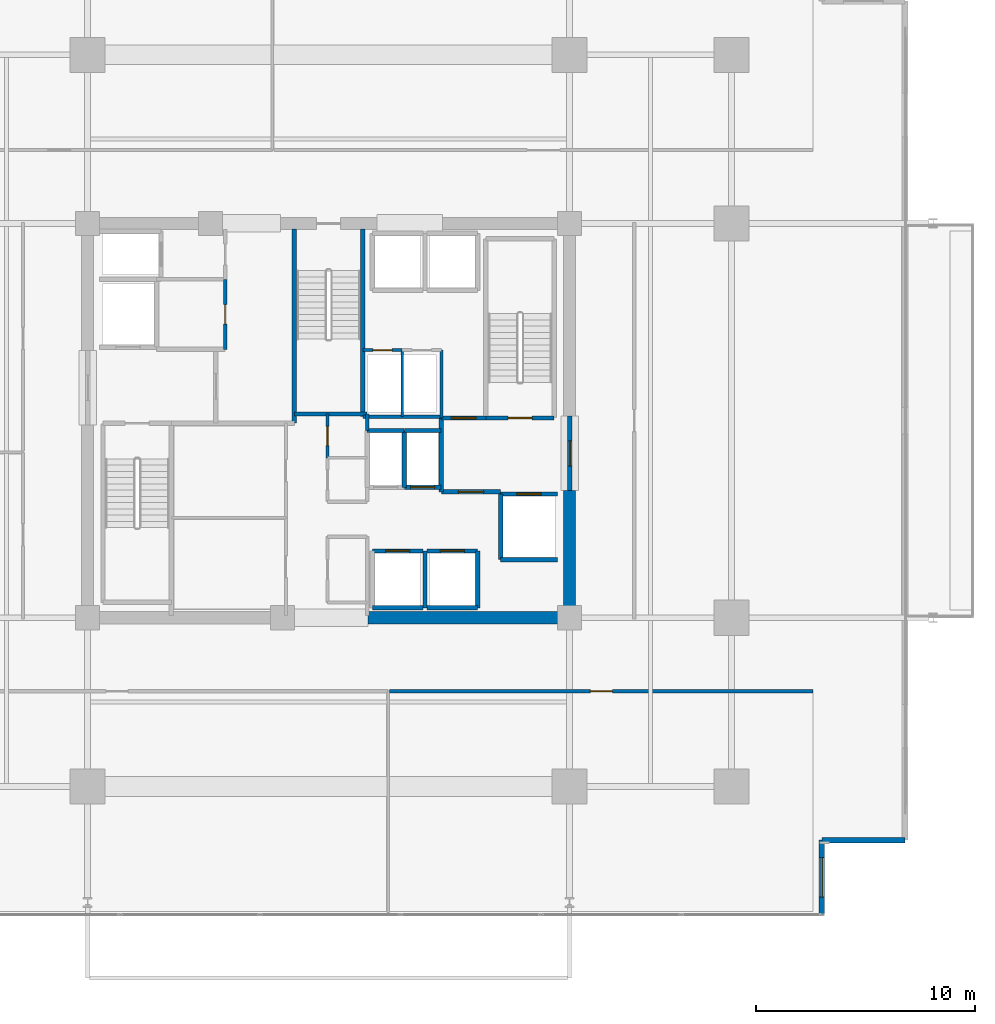
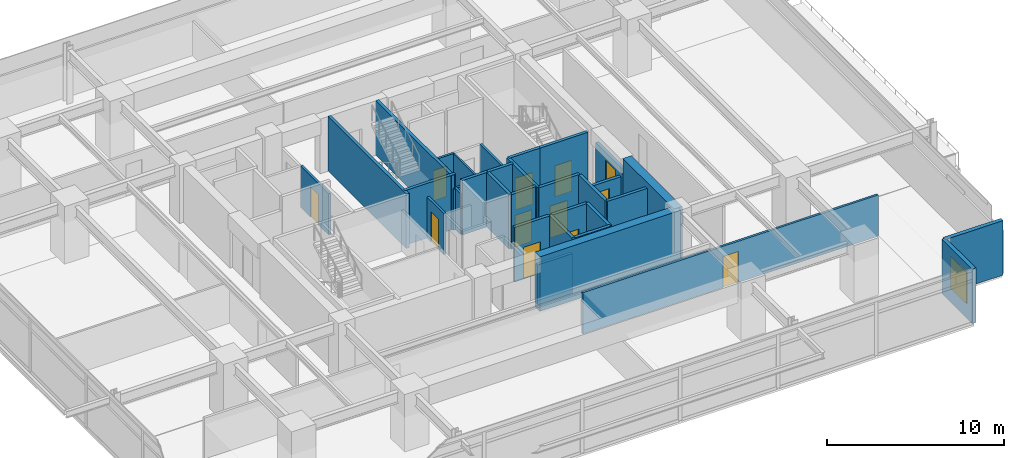
# One storey, part 17 of 24: 33 walls, 12 doors, 1 window, 13 openings.
"""IFC4 building model written with IfcOpenShell, lengths in metres."""

from ifc_helpers import new_model, si_unit, direction, frame, frame_2d, origin, place, context, subcontext, project, spatial, rectangle, extrude, material, layer, layer_set, type_object, element, fill, save


model = new_model("IFC4")

# Units and contexts
model_context = context("Model", 3, precision=1e-05, world=origin(), true_north=direction((0.0, 1.0)))
body_context = subcontext(model_context, "Body", "Model", "MODEL_VIEW")
ifc_project = project(units=[si_unit("LENGTHUNIT", "METRE"), si_unit("AREAUNIT", "SQUARE_METRE"), si_unit("VOLUMEUNIT", "CUBIC_METRE"), si_unit("PLANEANGLEUNIT", "RADIAN"), si_unit("MASSUNIT", "GRAM", prefix="KILO")], contexts=[model_context])

# Site, building, storey
site_placement = place(None, origin())
site = spatial("IfcSite", under=ifc_project, at=site_placement, CompositionType="ELEMENT")
building_placement = place(site_placement, origin())
building = spatial("IfcBuilding", under=site, at=building_placement, Name="Kovane Verandah Tower", CompositionType="ELEMENT")
storey_placement = place(building_placement, frame((0.0, 0.0, 132.39990234375)))
storey = spatial("IfcBuildingStorey", under=building, at=storey_placement, Name="L30", CompositionType="ELEMENT", Elevation=132.39990234375)

# Wall
ifc_material_1 = material(Name="Fire-Rated Gypsum Stud Partition", Category="gypsum")
ifc_layer_1 = layer(ifc_material_1, 0.14990234375)
ifc_layer_set_1 = layer_set([ifc_layer_1], Name="Fire-Rated Gypsum Stud Partition")
wall_type_1 = type_object("IfcWallType", Name="WL-COR-150", PredefinedType="PARTITIONING", material=ifc_layer_set_1)
wall_1_placement = place(storey_placement, frame((41.760009765625, 27.050048828125, 0.0), z_axis=(0.0, 0.0, 1.0), x_axis=(0.0, 1.0, 0.0)))
element("IfcWall", 1, at=wall_1_placement, inside=storey, type_object=wall_type_1, Name="L30 Central Core Strip Upper East Wall", PredefinedType="PARTITIONING", context=body_context, shape_type="SweptSolid", body=[
    extrude(rectangle(XDim=0.75, YDim=0.14990234375, at=frame_2d((0.375, 0.0))), origin(), (0.0, 0.0, 1.0), 2.85009765625),
])

# Wall, opening, door
wall_2_placement = place(storey_placement, frame((39.949951171875, 25.800048828125, 0.0), z_axis=(0.0, 0.0, 1.0), x_axis=(0.0, 1.0, 0.0)))
wall_2 = element("IfcWall", 2, at=wall_2_placement, inside=storey, type_object=wall_type_1, Name="L30 Electrical Riser Room Partition", PredefinedType="PARTITIONING", context=body_context, shape_type="SweptSolid", body=[
    extrude(rectangle(XDim=2.0, YDim=0.14990234375, at=frame_2d((1.0, 0.0))), origin(), (0.0, 0.0, 1.0), 2.85009765625),
])
opening_1_placement = place(wall_2_placement, frame((0.56005859375, 0.0, 0.0)))
opening_1 = element("IfcOpeningElement", 3, at=opening_1_placement, cuts=wall_2, Name="Opening DR-L30-021", PredefinedType="OPENING", context=body_context, shape_type="SweptSolid", body=[
    extrude(rectangle(XDim=0.8798828125, YDim=2.10009765625, at=frame_2d((0.43994140625, 1.050048828125))), frame((0.0, 0.074951171875, 0.0), z_axis=(0.0, -1.0, 0.0), x_axis=(1.0, 0.0, 0.0)), (0.0, 0.0, 1.0), 0.14990234375),
])
ifc_material_2 = material(Name="Fire-Rated Steel Riser Access Door", Category="steel")
door_type_1 = type_object("IfcDoorType", Name="DR-RISER-880", OperationType="SINGLE_SWING_LEFT", PredefinedType="DOOR", material=ifc_material_2)
door_1_placement = place(opening_1_placement, origin())
door_1 = element("IfcDoor", 4, at=door_1_placement, inside=storey, type_object=door_type_1, Name="L30 Electrical Riser Room Door", OperationType="SINGLE_SWING_RIGHT", OverallHeight=2.10009765625, OverallWidth=0.8798828125, PredefinedType="DOOR", context=body_context, shape_type="SweptSolid", body=[
    extrude(rectangle(XDim=0.8798828125, YDim=2.10009765625, at=frame_2d((0.43994140625, 1.050048828125))), frame((0.0, 0.02490234375, 0.0), z_axis=(0.0, -1.0, 0.0), x_axis=(1.0, 0.0, 0.0)), (0.0, 0.0, 1.0), 0.050048828125),
])
fill(opening_1, door_1)

wall_3_placement = place(storey_placement, frame((35.280029296875, 30.75, 0.0), z_axis=(0.0, 0.0, 1.0), x_axis=(0.0, 1.0, 0.0)))
wall_3 = element("IfcWall", 5, at=wall_3_placement, inside=storey, type_object=wall_type_1, Name="L30 Accessible Unisex Toilet Partition", PredefinedType="PARTITIONING", context=body_context, shape_type="SweptSolid", body=[
    extrude(rectangle(XDim=3.199951171875, YDim=0.14990234375, at=frame_2d((1.60009765625, 0.0))), origin(), (0.0, 0.0, 1.0), 2.85009765625),
])
opening_2_placement = place(wall_3_placement, frame((1.14990234375, 0.0, 0.0)))
opening_2 = element("IfcOpeningElement", 6, at=opening_2_placement, cuts=wall_3, Name="Opening DR-L30-022", PredefinedType="OPENING", context=body_context, shape_type="SweptSolid", body=[
    extrude(rectangle(XDim=0.89990234375, YDim=2.10009765625, at=frame_2d((0.449951171875, 1.050048828125))), frame((0.0, 0.074951171875, 0.0), z_axis=(0.0, -1.0, 0.0), x_axis=(1.0, 0.0, 0.0)), (0.0, 0.0, 1.0), 0.14990234375),
])
ifc_material_3 = material(Name="Moisture-Resistant Laminate Washroom Door", Category="wood")
door_type_2 = type_object("IfcDoorType", Name="DR-WC-900", OperationType="SINGLE_SWING_LEFT", PredefinedType="DOOR", material=ifc_material_3)
door_2_placement = place(opening_2_placement, origin())
door_2 = element("IfcDoor", 7, at=door_2_placement, inside=storey, type_object=door_type_2, Name="L30 Accessible Unisex Toilet Door", OperationType="SINGLE_SWING_RIGHT", OverallHeight=2.10009765625, OverallWidth=0.89990234375, PredefinedType="DOOR", context=body_context, shape_type="SweptSolid", body=[
    extrude(rectangle(XDim=0.89990234375, YDim=2.10009765625, at=frame_2d((0.449951171875, 1.050048828125))), frame((0.0, 0.02490234375, 0.0), z_axis=(0.0, -1.0, 0.0), x_axis=(1.0, 0.0, 0.0)), (0.0, 0.0, 1.0), 0.050048828125),
])
fill(opening_2, door_2)

# Walls
wall_4_placement = place(storey_placement, frame((41.56005859375, 27.679931640625, 0.0), z_axis=(0.0, 0.0, 1.0), x_axis=(1.0, 0.0, 0.0)))
element("IfcWall", 8, at=wall_4_placement, inside=storey, type_object=wall_type_1, Name="L30 East Core Service Riser South Wall", PredefinedType="PARTITIONING", context=body_context, shape_type="SweptSolid", body=[
    extrude(rectangle(XDim=3.58984375, YDim=0.14990234375, at=frame_2d((1.794921875, 0.0))), origin(), (0.0, 0.0, 1.0), 2.85009765625),
])
wall_5_placement = place(storey_placement, frame((45.14990234375, 27.6201171875, 0.0), z_axis=(0.0, 0.0, 1.0), x_axis=(0.0, 1.0, 0.0)))
element("IfcWall", 9, at=wall_5_placement, inside=storey, type_object=wall_type_1, Name="L30 East Core Service Riser East Wall", PredefinedType="PARTITIONING", context=body_context, shape_type="SweptSolid", body=[
    extrude(rectangle(XDim=3.099853515625, YDim=0.14990234375, at=frame_2d((1.5498046875, 0.0))), origin(), (0.0, 0.0, 1.0), 2.85009765625),
])

# Wall, opening, door
wall_6_placement = place(storey_placement, frame((41.56005859375, 30.719970703125, 0.0), z_axis=(0.0, 0.0, 1.0), x_axis=(1.0, 0.0, 0.0)))
wall_6 = element("IfcWall", 10, at=wall_6_placement, inside=storey, type_object=wall_type_1, Name="L30 Chilled Water Riser Room Partition", PredefinedType="PARTITIONING", context=body_context, shape_type="SweptSolid", body=[
    extrude(rectangle(XDim=1.800048828125, YDim=0.14990234375, at=frame_2d((0.89990234375, 0.0))), origin(), (0.0, 0.0, 1.0), 2.85009765625),
])
opening_3_placement = place(wall_6_placement, frame((0.4599609375, 0.0, 0.0)))
opening_3 = element("IfcOpeningElement", 11, at=opening_3_placement, cuts=wall_6, Name="Opening DR-L30-015", PredefinedType="OPENING", context=body_context, shape_type="SweptSolid", body=[
    extrude(rectangle(XDim=0.8798828125, YDim=2.10009765625, at=frame_2d((0.43994140625, 1.050048828125))), frame((0.0, 0.074951171875, 0.0), z_axis=(0.0, -1.0, 0.0), x_axis=(1.0, 0.0, 0.0)), (0.0, 0.0, 1.0), 0.14990234375),
])
door_3_placement = place(opening_3_placement, origin())
door_3 = element("IfcDoor", 12, at=door_3_placement, inside=storey, type_object=door_type_1, Name="L30 Chilled Water Riser Room Door", OperationType="SINGLE_SWING_LEFT", OverallHeight=2.10009765625, OverallWidth=0.8798828125, PredefinedType="DOOR", context=body_context, shape_type="SweptSolid", body=[
    extrude(rectangle(XDim=0.8798828125, YDim=2.10009765625, at=frame_2d((0.43994140625, 1.050048828125))), frame((0.0, 0.02490234375, 0.0), z_axis=(0.0, -1.0, 0.0), x_axis=(1.0, 0.0, 0.0)), (0.0, 0.0, 1.0), 0.050048828125),
])
fill(opening_3, door_3)

wall_7_placement = place(storey_placement, frame((42.790283203125, 15.14990234375, 0.0), z_axis=(0.0, 0.0, 1.0), x_axis=(1.0, 0.0, 0.0)))
wall_7 = element("IfcWall", 13, at=wall_7_placement, inside=storey, type_object=wall_type_1, Name="L30 Focus Studio S2 Corridor Partition", PredefinedType="PARTITIONING", context=body_context, shape_type="SweptSolid", body=[
    extrude(rectangle(XDim=19.32373046875, YDim=0.14990234375, at=frame_2d((9.661865234375, 0.0))), origin(), (0.0, 0.0, 1.0), 2.85009765625),
])
opening_4_placement = place(wall_7_placement, frame((9.161865234375, 0.0, 0.0)))
opening_4 = element("IfcOpeningElement", 14, at=opening_4_placement, cuts=wall_7, Name="Opening DR-L30-020", PredefinedType="OPENING", context=body_context, shape_type="SweptSolid", body=[
    extrude(rectangle(XDim=1.0, YDim=2.14990234375, at=frame_2d((0.5, 1.074951171875))), frame((0.0, 0.074951171875, 0.0), z_axis=(0.0, -1.0, 0.0), x_axis=(1.0, 0.0, 0.0)), (0.0, 0.0, 1.0), 0.14990234375),
])
ifc_material_4 = material(Name="FSC Spotted-Gum Timber Fire-Rated Office Door", Category="wood")
door_type_3 = type_object("IfcDoorType", Name="DR-OFF-1000", OperationType="SINGLE_SWING_LEFT", PredefinedType="DOOR", material=ifc_material_4)
door_4_placement = place(opening_4_placement, origin())
door_4 = element("IfcDoor", 15, at=door_4_placement, inside=storey, type_object=door_type_3, Name="L30 Focus Studio S2 Entrance Door", OperationType="SINGLE_SWING_RIGHT", OverallHeight=2.14990234375, OverallWidth=1.0, PredefinedType="DOOR", context=body_context, shape_type="SweptSolid", body=[
    extrude(rectangle(XDim=1.0, YDim=2.14990234375, at=frame_2d((0.5, 1.074951171875))), frame((0.0, 0.02490234375, 0.0), z_axis=(0.0, -1.0, 0.0), x_axis=(1.0, 0.0, 0.0)), (0.0, 0.0, 1.0), 0.050048828125),
])
fill(opening_4, door_4)

# Walls
ifc_material_5 = material(Name="Concrete C60/75", Category="concrete")
ifc_layer_2 = layer(ifc_material_5, 0.550048828125)
ifc_layer_set_2 = layer_set([ifc_layer_2], Name="Concrete C60/75")
wall_type_2 = type_object("IfcWallType", Name="WL-CORE-550", PredefinedType="SHEAR", material=ifc_layer_set_2)
wall_8_placement = place(storey_placement, frame((41.800048828125, 18.5, 0.0), z_axis=(0.0, 0.0, 1.0), x_axis=(1.0, 0.0, 0.0)))
element("IfcWall", 16, at=wall_8_placement, inside=storey, type_object=wall_type_2, Name="L30 Core Shear Wall CS-2", PredefinedType="SHEAR", context=body_context, shape_type="SweptSolid", body=[
    extrude(rectangle(XDim=9.199951171875, YDim=0.550048828125, at=frame_2d((4.60009765625, 0.0))), origin(), (0.0, 0.0, 1.0), 3.775146484375),
])
wall_9_placement = place(storey_placement, frame((51.0, 18.5, 0.0), z_axis=(0.0, 0.0, 1.0), x_axis=(0.0, 1.0, 0.0)))
element("IfcWall", 17, at=wall_9_placement, inside=storey, type_object=wall_type_2, Name="L30 Core Shear Wall CE-1", PredefinedType="SHEAR", context=body_context, shape_type="SweptSolid", body=[
    extrude(rectangle(XDim=5.800048828125, YDim=0.550048828125, at=frame_2d((2.89990234375, 0.0))), origin(), (0.0, 0.0, 1.0), 3.775146484375),
])
ifc_material_6 = material(Name="Concrete C45/55 Fire Wall", Category="concrete")
ifc_layer_3 = layer(ifc_material_6, 0.199951171875)
ifc_layer_set_3 = layer_set([ifc_layer_3], Name="Concrete C45/55 Fire Wall")
wall_type_3 = type_object("IfcWallType", Name="WL-FFL-200", PredefinedType="PARTITIONING", material=ifc_layer_set_3)
wall_10_placement = place(storey_placement, frame((45.14990234375, 24.25, 0.0), z_axis=(0.0, 0.0, 1.0), x_axis=(0.0, 1.0, 0.0)))
element("IfcWall", 18, at=wall_10_placement, inside=storey, type_object=wall_type_3, Name="L30 East Firefighting Lobby West Fire Wall", PredefinedType="PARTITIONING", context=body_context, shape_type="SweptSolid", body=[
    extrude(rectangle(XDim=3.3701171875, YDim=0.199951171875, at=frame_2d((1.68505859375, 0.0))), origin(), (0.0, 0.0, 1.0), 3.775146484375),
])

# Wall, opening, door
wall_11_placement = place(storey_placement, frame((45.14990234375, 24.25, 0.0), z_axis=(0.0, 0.0, 1.0), x_axis=(1.0, 0.0, 0.0)))
wall_11 = element("IfcWall", 19, at=wall_11_placement, inside=storey, type_object=wall_type_3, Name="W-L30-FFLE-S", PredefinedType="PARTITIONING", context=body_context, shape_type="SweptSolid", body=[
    extrude(rectangle(XDim=2.7001953125, YDim=0.199951171875, at=frame_2d((1.35009765625, 0.0))), origin(), (0.0, 0.0, 1.0), 3.775146484375),
])
opening_5_placement = place(wall_11_placement, frame((0.77490234375, 0.0, 0.0)))
opening_5 = element("IfcOpeningElement", 20, at=opening_5_placement, cuts=wall_11, Name="Opening DR-L30-003", PredefinedType="OPENING", context=body_context, shape_type="SweptSolid", body=[
    extrude(rectangle(XDim=1.14990234375, YDim=2.199951171875, at=frame_2d((0.574951171875, 1.10009765625))), frame((0.0, 0.10009765625, 0.0), z_axis=(0.0, -1.0, 0.0), x_axis=(1.0, 0.0, 0.0)), (0.0, 0.0, 1.0), 0.199951171875),
])
ifc_material_7 = material(Name="Smoke-Sealed Firefighting Lobby Door", Category="steel")
door_type_4 = type_object("IfcDoorType", Name="DR-FFL-1150", OperationType="SINGLE_SWING_LEFT", PredefinedType="DOOR", material=ifc_material_7)
door_5_placement = place(opening_5_placement, origin())
door_5 = element("IfcDoor", 21, at=door_5_placement, inside=storey, type_object=door_type_4, Name="L30 East Firefighting Lobby Inner Door", OperationType="SINGLE_SWING_RIGHT", OverallHeight=2.199951171875, OverallWidth=1.14990234375, PredefinedType="DOOR", context=body_context, shape_type="SweptSolid", body=[
    extrude(rectangle(XDim=1.14990234375, YDim=2.199951171875, at=frame_2d((0.574951171875, 1.10009765625))), frame((0.0, 0.02490234375, 0.0), z_axis=(0.0, -1.0, 0.0), x_axis=(1.0, 0.0, 0.0)), (0.0, 0.0, 1.0), 0.050048828125),
])
fill(opening_5, door_5)

wall_12_placement = place(storey_placement, frame((45.14990234375, 27.6201171875, 0.0), z_axis=(0.0, 0.0, 1.0), x_axis=(1.0, 0.0, 0.0)))
wall_12 = element("IfcWall", 22, at=wall_12_placement, inside=storey, type_object=wall_type_3, Name="W-L30-FFLE-N", PredefinedType="PARTITIONING", context=body_context, shape_type="SweptSolid", body=[
    extrude(rectangle(XDim=2.030029296875, YDim=0.199951171875, at=frame_2d((1.01513671875, 0.0))), origin(), (0.0, 0.0, 1.0), 3.775146484375),
])
opening_6_placement = place(wall_12_placement, frame((0.43994140625, 0.0, 0.0)))
opening_6 = element("IfcOpeningElement", 23, at=opening_6_placement, cuts=wall_12, Name="Opening DR-L30-004", PredefinedType="OPENING", context=body_context, shape_type="SweptSolid", body=[
    extrude(rectangle(XDim=1.14990234375, YDim=2.199951171875, at=frame_2d((0.574951171875, 1.10009765625))), frame((0.0, 0.10009765625, 0.0), z_axis=(0.0, -1.0, 0.0), x_axis=(1.0, 0.0, 0.0)), (0.0, 0.0, 1.0), 0.199951171875),
])
door_6_placement = place(opening_6_placement, origin())
door_6 = element("IfcDoor", 24, at=door_6_placement, inside=storey, type_object=door_type_4, Name="L30 East Firefighting Lobby Shuttle Link Door", OperationType="SINGLE_SWING_LEFT", OverallHeight=2.199951171875, OverallWidth=1.14990234375, PredefinedType="DOOR", context=body_context, shape_type="SweptSolid", body=[
    extrude(rectangle(XDim=1.14990234375, YDim=2.199951171875, at=frame_2d((0.574951171875, 1.10009765625))), frame((0.0, 0.02490234375, 0.0), z_axis=(0.0, -1.0, 0.0), x_axis=(1.0, 0.0, 0.0)), (0.0, 0.0, 1.0), 0.050048828125),
])
fill(opening_6, door_6)

wall_13_placement = place(storey_placement, frame((51.0, 24.300048828125, 0.0), z_axis=(0.0, 0.0, 1.0), x_axis=(0.0, 1.0, 0.0)))
wall_13 = element("IfcWall", 25, at=wall_13_placement, inside=storey, type_object=wall_type_3, Name="W-L30-FFLE-OUT", PredefinedType="PARTITIONING", context=body_context, shape_type="SweptSolid", body=[
    extrude(rectangle(XDim=3.39990234375, YDim=0.199951171875, at=frame_2d((1.699951171875, 0.0))), origin(), (0.0, 0.0, 1.0), 2.755126953125),
])
opening_7_placement = place(wall_13_placement, frame((1.125, 0.0, 0.0)))
opening_7 = element("IfcOpeningElement", 26, at=opening_7_placement, cuts=wall_13, Name="Opening DR-L30-005", PredefinedType="OPENING", context=body_context, shape_type="SweptSolid", body=[
    extrude(rectangle(XDim=1.14990234375, YDim=2.199951171875, at=frame_2d((0.574951171875, 1.10009765625))), frame((0.0, 0.10009765625, 0.0), z_axis=(0.0, -1.0, 0.0), x_axis=(1.0, 0.0, 0.0)), (0.0, 0.0, 1.0), 0.199951171875),
])
door_7_placement = place(opening_7_placement, origin())
door_7 = element("IfcDoor", 27, at=door_7_placement, inside=storey, type_object=door_type_4, Name="L30 East Firefighting Lobby Corridor Door", OperationType="SINGLE_SWING_LEFT", OverallHeight=2.199951171875, OverallWidth=1.14990234375, PredefinedType="DOOR", context=body_context, shape_type="SweptSolid", body=[
    extrude(rectangle(XDim=1.14990234375, YDim=2.199951171875, at=frame_2d((0.574951171875, 1.10009765625))), frame((0.0, 0.02490234375, 0.0), z_axis=(0.0, -1.0, 0.0), x_axis=(1.0, 0.0, 0.0)), (0.0, 0.0, 1.0), 0.050048828125),
])
fill(opening_7, door_7)

# Wall
ifc_material_8 = material(Name="Concrete C45/55 Lift Shaft Wall", Category="concrete")
ifc_layer_4 = layer(ifc_material_8, 0.199951171875)
ifc_layer_set_4 = layer_set([ifc_layer_4], Name="Concrete C45/55 Lift Shaft Wall")
wall_type_4 = type_object("IfcWallType", Name="WL-LIFT-200", PredefinedType="SOLIDWALL", material=ifc_layer_set_4)
wall_14_placement = place(storey_placement, frame((47.85009765625, 21.14990234375, 0.0), z_axis=(0.0, 0.0, 1.0), x_axis=(1.0, 0.0, 0.0)))
element("IfcWall", 28, at=wall_14_placement, inside=storey, type_object=wall_type_4, Name="L30 Lift FL-02 S Shaft Wall", PredefinedType="SOLIDWALL", context=body_context, shape_type="SweptSolid", body=[
    extrude(rectangle(XDim=2.599853515625, YDim=0.199951171875, at=frame_2d((1.2998046875, 0.0))), origin(), (0.0, 0.0, 1.0), 3.775146484375),
])

# Wall, opening, door
wall_15_placement = place(storey_placement, frame((50.449951171875, 24.14990234375, 0.0), z_axis=(0.0, 0.0, 1.0), x_axis=(-1.0, 0.0, 0.0)))
wall_15 = element("IfcWall", 29, at=wall_15_placement, inside=storey, type_object=wall_type_4, Name="L30 Lift FL-02 N Shaft Wall", PredefinedType="SOLIDWALL", context=body_context, shape_type="SweptSolid", body=[
    extrude(rectangle(XDim=2.599853515625, YDim=0.199951171875, at=frame_2d((1.2998046875, 0.0))), origin(), (0.0, 0.0, 1.0), 2.755126953125),
])
opening_8_placement = place(wall_15_placement, frame((0.75, 0.0, 0.0)))
opening_8 = element("IfcOpeningElement", 30, at=opening_8_placement, cuts=wall_15, Name="Opening LD-L30-002", PredefinedType="OPENING", context=body_context, shape_type="SweptSolid", body=[
    extrude(rectangle(XDim=1.10009765625, YDim=2.199951171875, at=frame_2d((0.550048828125, 1.10009765625))), frame((0.0, 0.10009765625, 0.0), z_axis=(0.0, -1.0, 0.0), x_axis=(1.0, 0.0, 0.0)), (0.0, 0.0, 1.0), 0.199951171875),
])
ifc_material_9 = material(Name="Brushed Stainless Steel Sliding Lift Landing Door", Category="steel")
door_type_5 = type_object("IfcDoorType", Name="DR-LIFT-1100", OperationType="SLIDING_TO_RIGHT", PredefinedType="DOOR", material=ifc_material_9)
door_8_placement = place(opening_8_placement, origin())
door_8 = element("IfcDoor", 31, at=door_8_placement, inside=storey, type_object=door_type_5, Name="L30 Lift FL-02 Sliding Landing Door", OperationType="SLIDING_TO_RIGHT", OverallHeight=2.199951171875, OverallWidth=1.10009765625, PredefinedType="DOOR", context=body_context, shape_type="SweptSolid", body=[
    extrude(rectangle(XDim=1.10009765625, YDim=2.199951171875, at=frame_2d((0.550048828125, 1.10009765625))), frame((0.0, 0.02490234375, 0.0), z_axis=(0.0, -1.0, 0.0), x_axis=(1.0, 0.0, 0.0)), (0.0, 0.0, 1.0), 0.050048828125),
])
fill(opening_8, door_8)

# Walls
wall_16_placement = place(storey_placement, frame((47.85009765625, 24.14990234375, 0.0), z_axis=(0.0, 0.0, 1.0), x_axis=(0.0, -1.0, 0.0)))
element("IfcWall", 32, at=wall_16_placement, inside=storey, type_object=wall_type_4, Name="L30 Lift FL-02 W Shaft Wall", PredefinedType="SOLIDWALL", context=body_context, shape_type="SweptSolid", body=[
    extrude(rectangle(XDim=3.0, YDim=0.199951171875, at=frame_2d((1.5, 0.0))), origin(), (0.0, 0.0, 1.0), 3.775146484375),
])
wall_17_placement = place(storey_placement, frame((42.0, 18.949951171875, 0.0), z_axis=(0.0, 0.0, 1.0), x_axis=(1.0, 0.0, 0.0)))
element("IfcWall", 33, at=wall_17_placement, inside=storey, type_object=wall_type_4, Name="L30 Lift PL-M1 S Shaft Wall", PredefinedType="SOLIDWALL", context=body_context, shape_type="SweptSolid", body=[
    extrude(rectangle(XDim=2.300048828125, YDim=0.199951171875, at=frame_2d((1.14990234375, 0.0))), origin(), (0.0, 0.0, 1.0), 2.755126953125),
])

# Wall, opening, door
wall_18_placement = place(storey_placement, frame((44.300048828125, 21.550048828125, 0.0), z_axis=(0.0, 0.0, 1.0), x_axis=(-1.0, 0.0, 0.0)))
wall_18 = element("IfcWall", 34, at=wall_18_placement, inside=storey, type_object=wall_type_4, Name="L30 Lift PL-M1 N Shaft Wall", PredefinedType="SOLIDWALL", context=body_context, shape_type="SweptSolid", body=[
    extrude(rectangle(XDim=2.300048828125, YDim=0.199951171875, at=frame_2d((1.14990234375, 0.0))), origin(), (0.0, 0.0, 1.0), 3.775146484375),
])
opening_9_placement = place(wall_18_placement, frame((0.60009765625, 0.0, 0.0)))
opening_9 = element("IfcOpeningElement", 35, at=opening_9_placement, cuts=wall_18, Name="Opening LD-L30-004", PredefinedType="OPENING", context=body_context, shape_type="SweptSolid", body=[
    extrude(rectangle(XDim=1.10009765625, YDim=2.199951171875, at=frame_2d((0.550048828125, 1.10009765625))), frame((0.0, 0.10009765625, 0.0), z_axis=(0.0, -1.0, 0.0), x_axis=(1.0, 0.0, 0.0)), (0.0, 0.0, 1.0), 0.199951171875),
])
door_9_placement = place(opening_9_placement, origin())
door_9 = element("IfcDoor", 36, at=door_9_placement, inside=storey, type_object=door_type_5, Name="L30 Lift PL-M1 Sliding Landing Door", OperationType="SLIDING_TO_RIGHT", OverallHeight=2.199951171875, OverallWidth=1.10009765625, PredefinedType="DOOR", context=body_context, shape_type="SweptSolid", body=[
    extrude(rectangle(XDim=1.10009765625, YDim=2.199951171875, at=frame_2d((0.550048828125, 1.10009765625))), frame((0.0, 0.02490234375, 0.0), z_axis=(0.0, -1.0, 0.0), x_axis=(1.0, 0.0, 0.0)), (0.0, 0.0, 1.0), 0.050048828125),
])
fill(opening_9, door_9)

# Walls
wall_19_placement = place(storey_placement, frame((44.39990234375, 18.949951171875, 0.0), z_axis=(0.0, 0.0, 1.0), x_axis=(0.0, 1.0, 0.0)))
element("IfcWall", 37, at=wall_19_placement, inside=storey, type_object=wall_type_4, Name="L30 Lift PL-M1 and PL-M2 Shared Shaft Wall", PredefinedType="SOLIDWALL", context=body_context, shape_type="SweptSolid", body=[
    extrude(rectangle(XDim=2.60009765625, YDim=0.199951171875, at=frame_2d((1.300048828125, 0.0))), origin(), (0.0, 0.0, 1.0), 3.775146484375),
])
wall_20_placement = place(storey_placement, frame((44.5, 18.949951171875, 0.0), z_axis=(0.0, 0.0, 1.0), x_axis=(1.0, 0.0, 0.0)))
element("IfcWall", 38, at=wall_20_placement, inside=storey, type_object=wall_type_4, Name="L30 Lift PL-M2 S Shaft Wall", PredefinedType="SOLIDWALL", context=body_context, shape_type="SweptSolid", body=[
    extrude(rectangle(XDim=2.300048828125, YDim=0.199951171875, at=frame_2d((1.14990234375, 0.0))), origin(), (0.0, 0.0, 1.0), 3.775146484375),
])

# Wall, opening, door
wall_21_placement = place(storey_placement, frame((46.800048828125, 21.550048828125, 0.0), z_axis=(0.0, 0.0, 1.0), x_axis=(-1.0, 0.0, 0.0)))
wall_21 = element("IfcWall", 39, at=wall_21_placement, inside=storey, type_object=wall_type_4, Name="L30 Lift PL-M2 N Shaft Wall", PredefinedType="SOLIDWALL", context=body_context, shape_type="SweptSolid", body=[
    extrude(rectangle(XDim=2.300048828125, YDim=0.199951171875, at=frame_2d((1.14990234375, 0.0))), origin(), (0.0, 0.0, 1.0), 3.775146484375),
])
opening_10_placement = place(wall_21_placement, frame((0.60009765625, 0.0, 0.0)))
opening_10 = element("IfcOpeningElement", 40, at=opening_10_placement, cuts=wall_21, Name="Opening LD-L30-005", PredefinedType="OPENING", context=body_context, shape_type="SweptSolid", body=[
    extrude(rectangle(XDim=1.10009765625, YDim=2.199951171875, at=frame_2d((0.550048828125, 1.10009765625))), frame((0.0, 0.10009765625, 0.0), z_axis=(0.0, -1.0, 0.0), x_axis=(1.0, 0.0, 0.0)), (0.0, 0.0, 1.0), 0.199951171875),
])
door_10_placement = place(opening_10_placement, origin())
door_10 = element("IfcDoor", 41, at=door_10_placement, inside=storey, type_object=door_type_5, Name="L30 Lift PL-M2 Sliding Landing Door", OperationType="SLIDING_TO_RIGHT", OverallHeight=2.199951171875, OverallWidth=1.10009765625, PredefinedType="DOOR", context=body_context, shape_type="SweptSolid", body=[
    extrude(rectangle(XDim=1.10009765625, YDim=2.199951171875, at=frame_2d((0.550048828125, 1.10009765625))), frame((0.0, 0.02490234375, 0.0), z_axis=(0.0, -1.0, 0.0), x_axis=(1.0, 0.0, 0.0)), (0.0, 0.0, 1.0), 0.050048828125),
])
fill(opening_10, door_10)

# Walls
wall_22_placement = place(storey_placement, frame((46.800048828125, 18.949951171875, 0.0), z_axis=(0.0, 0.0, 1.0), x_axis=(0.0, 1.0, 0.0)))
element("IfcWall", 42, at=wall_22_placement, inside=storey, type_object=wall_type_4, Name="L30 Lift PL-M2 E Shaft Wall", PredefinedType="SOLIDWALL", context=body_context, shape_type="SweptSolid", body=[
    extrude(rectangle(XDim=2.60009765625, YDim=0.199951171875, at=frame_2d((1.300048828125, 0.0))), origin(), (0.0, 0.0, 1.0), 3.775146484375),
])
wall_23_placement = place(storey_placement, frame((43.43994140625, 27.050048828125, 0.0), z_axis=(0.0, 0.0, 1.0), x_axis=(-1.0, 0.0, 0.0)))
element("IfcWall", 43, at=wall_23_placement, inside=storey, type_object=wall_type_4, Name="L30 Lift PL-M3 N Shaft Wall", PredefinedType="SOLIDWALL", context=body_context, shape_type="SweptSolid", body=[
    extrude(rectangle(XDim=1.679931640625, YDim=0.199951171875, at=frame_2d((0.83984375, 0.0))), origin(), (0.0, 0.0, 1.0), 3.775146484375),
])
wall_24_placement = place(storey_placement, frame((43.449951171875, 24.449951171875, 0.0), z_axis=(0.0, 0.0, 1.0), x_axis=(0.0, 1.0, 0.0)))
element("IfcWall", 44, at=wall_24_placement, inside=storey, type_object=wall_type_4, Name="L30 Lift PL-M3 and PL-M4 Shared Shaft Wall", PredefinedType="SOLIDWALL", context=body_context, shape_type="SweptSolid", body=[
    extrude(rectangle(XDim=2.60009765625, YDim=0.199951171875, at=frame_2d((1.300048828125, 0.0))), origin(), (0.0, 0.0, 1.0), 3.775146484375),
])

# Wall, opening, door
wall_25_placement = place(storey_placement, frame((43.4599609375, 24.449951171875, 0.0), z_axis=(0.0, 0.0, 1.0), x_axis=(1.0, 0.0, 0.0)))
wall_25 = element("IfcWall", 45, at=wall_25_placement, inside=storey, type_object=wall_type_4, Name="L30 Lift PL-M4 S Shaft Wall", PredefinedType="SOLIDWALL", context=body_context, shape_type="SweptSolid", body=[
    extrude(rectangle(XDim=1.66015625, YDim=0.199951171875, at=frame_2d((0.830078125, 0.0))), origin(), (0.0, 0.0, 1.0), 3.775146484375),
])
opening_11_placement = place(wall_25_placement, frame((0.280029296875, 0.0, 0.0)))
opening_11 = element("IfcOpeningElement", 46, at=opening_11_placement, cuts=wall_25, Name="Opening LD-L30-007", PredefinedType="OPENING", context=body_context, shape_type="SweptSolid", body=[
    extrude(rectangle(XDim=1.10009765625, YDim=2.199951171875, at=frame_2d((0.550048828125, 1.10009765625))), frame((0.0, 0.10009765625, 0.0), z_axis=(0.0, -1.0, 0.0), x_axis=(1.0, 0.0, 0.0)), (0.0, 0.0, 1.0), 0.199951171875),
])
door_11_placement = place(opening_11_placement, origin())
door_11 = element("IfcDoor", 47, at=door_11_placement, inside=storey, type_object=door_type_5, Name="L30 Lift PL-M4 Sliding Landing Door", OperationType="SLIDING_TO_RIGHT", OverallHeight=2.199951171875, OverallWidth=1.10009765625, PredefinedType="DOOR", context=body_context, shape_type="SweptSolid", body=[
    extrude(rectangle(XDim=1.10009765625, YDim=2.199951171875, at=frame_2d((0.550048828125, 1.10009765625))), frame((0.0, 0.02490234375, 0.0), z_axis=(0.0, -1.0, 0.0), x_axis=(1.0, 0.0, 0.0)), (0.0, 0.0, 1.0), 0.050048828125),
])
fill(opening_11, door_11)

# Walls
wall_26_placement = place(storey_placement, frame((45.1201171875, 27.050048828125, 0.0), z_axis=(0.0, 0.0, 1.0), x_axis=(-1.0, 0.0, 0.0)))
element("IfcWall", 48, at=wall_26_placement, inside=storey, type_object=wall_type_4, Name="L30 Lift PL-M4 N Shaft Wall", PredefinedType="SOLIDWALL", context=body_context, shape_type="SweptSolid", body=[
    extrude(rectangle(XDim=1.66015625, YDim=0.199951171875, at=frame_2d((0.830078125, 0.0))), origin(), (0.0, 0.0, 1.0), 3.775146484375),
])
ifc_material_10 = material(Name="Acoustic Fire-Rated Gypsum Partition", Category="gypsum")
ifc_layer_5 = layer(ifc_material_10, 0.1201171875)
ifc_layer_set_5 = layer_set([ifc_layer_5], Name="Acoustic Fire-Rated Gypsum Partition")
wall_type_5 = type_object("IfcWallType", Name="WL-PART-120", PredefinedType="PARTITIONING", material=ifc_layer_set_5)
wall_27_placement = place(storey_placement, frame((43.360107421875, 27.679931640625, 0.0), z_axis=(0.0, 0.0, 1.0), x_axis=(0.0, 1.0, 0.0)))
element("IfcWall", 49, at=wall_27_placement, inside=storey, type_object=wall_type_5, Name="L30 Service Riser Dividing Partition", PredefinedType="PARTITIONING", context=body_context, shape_type="SweptSolid", body=[
    extrude(rectangle(XDim=3.0400390625, YDim=0.1201171875, at=frame_2d((1.52001953125, 0.0))), origin(), (0.0, 0.0, 1.0), 2.85009765625),
])

# Wall, opening, door
ifc_material_11 = material(Name="Concrete C45/55", Category="concrete")
ifc_layer_6 = layer(ifc_material_11, 0.199951171875)
ifc_layer_set_6 = layer_set([ifc_layer_6], Name="Concrete C45/55")
wall_type_6 = type_object("IfcWallType", Name="WL-SHAFT-200", PredefinedType="SOLIDWALL", material=ifc_layer_set_6)
wall_28_placement = place(storey_placement, frame((47.179931640625, 27.6201171875, 0.0), z_axis=(0.0, 0.0, 1.0), x_axis=(1.0, 0.0, 0.0)))
wall_28 = element("IfcWall", 50, at=wall_28_placement, inside=storey, type_object=wall_type_6, Name="W-L30-ST02-S", PredefinedType="SOLIDWALL", context=body_context, shape_type="SweptSolid", body=[
    extrude(rectangle(XDim=3.1201171875, YDim=0.199951171875, at=frame_2d((1.56005859375, 0.0))), origin(), (0.0, 0.0, 1.0), 3.775146484375),
])
opening_12_placement = place(wall_28_placement, frame((1.010009765625, 0.0, 0.0)))
opening_12 = element("IfcOpeningElement", 51, at=opening_12_placement, cuts=wall_28, Name="Opening DR-L30-010", PredefinedType="OPENING", context=body_context, shape_type="SweptSolid", body=[
    extrude(rectangle(XDim=1.10009765625, YDim=2.14990234375, at=frame_2d((0.550048828125, 1.074951171875))), frame((0.0, 0.10009765625, 0.0), z_axis=(0.0, -1.0, 0.0), x_axis=(1.0, 0.0, 0.0)), (0.0, 0.0, 1.0), 0.199951171875),
])
ifc_material_12 = material(Name="Fire-Rated Steel Exit Door", Category="steel")
door_type_6 = type_object("IfcDoorType", Name="DR-STAIR-1100", OperationType="SINGLE_SWING_LEFT", PredefinedType="DOOR", material=ifc_material_12)
door_12_placement = place(opening_12_placement, origin())
door_12 = element("IfcDoor", 52, at=door_12_placement, inside=storey, type_object=door_type_6, Name="L30 ST-02 Fire Exit Stair Door", OperationType="SINGLE_SWING_RIGHT", OverallHeight=2.14990234375, OverallWidth=1.10009765625, PredefinedType="DOOR", context=body_context, shape_type="SweptSolid", body=[
    extrude(rectangle(XDim=1.10009765625, YDim=2.14990234375, at=frame_2d((0.550048828125, 1.074951171875))), frame((0.0, 0.02490234375, 0.0), z_axis=(0.0, -1.0, 0.0), x_axis=(1.0, 0.0, 0.0)), (0.0, 0.0, 1.0), 0.050048828125),
])
fill(opening_12, door_12)

# Walls
wall_29_placement = place(storey_placement, frame((38.43994140625, 27.3798828125, 0.0), z_axis=(0.0, 0.0, 1.0), x_axis=(0.0, 1.0, 0.0)))
element("IfcWall", 53, at=wall_29_placement, inside=storey, type_object=wall_type_6, Name="W-L30-ST03-W", PredefinedType="SOLIDWALL", context=body_context, shape_type="SweptSolid", body=[
    extrude(rectangle(XDim=8.8701171875, YDim=0.199951171875, at=frame_2d((4.43505859375, 0.0))), origin(), (0.0, 0.0, 1.0), 3.775146484375),
])
wall_30_placement = place(storey_placement, frame((41.56005859375, 27.679931640625, 0.0), z_axis=(0.0, 0.0, 1.0), x_axis=(0.0, 1.0, 0.0)))
element("IfcWall", 54, at=wall_30_placement, inside=storey, type_object=wall_type_6, Name="W-L30-ST03-E", PredefinedType="SOLIDWALL", context=body_context, shape_type="SweptSolid", body=[
    extrude(rectangle(XDim=8.570068359375, YDim=0.199951171875, at=frame_2d((4.28515625, 0.0))), origin(), (0.0, 0.0, 1.0), 3.775146484375),
])
wall_31_placement = place(storey_placement, frame((38.43994140625, 27.800048828125, 0.0), z_axis=(0.0, 0.0, 1.0), x_axis=(1.0, 0.0, 0.0)))
element("IfcWall", 55, at=wall_31_placement, inside=storey, type_object=wall_type_6, Name="W-L30-ST03-S", PredefinedType="SOLIDWALL", context=body_context, shape_type="SweptSolid", body=[
    extrude(rectangle(XDim=3.320068359375, YDim=0.199951171875, at=frame_2d((1.66015625, 0.0))), origin(), (0.0, 0.0, 1.0), 3.775146484375),
])

# Wall, opening, window
ifc_material_13 = material(Name="Concrete C45/55 Insulated Spandrel Wall", Category="concrete")
ifc_layer_7 = layer(ifc_material_13, 0.260009765625)
ifc_layer_set_7 = layer_set([ifc_layer_7], Name="Concrete C45/55 Insulated Spandrel Wall")
wall_type_7 = type_object("IfcWallType", Name="WL-SPANDREL-260", PredefinedType="PARAPET", material=ifc_layer_set_7)
wall_32_placement = place(storey_placement, frame((62.51416015625, 4.9462890625, 0.0), z_axis=(0.0, 0.0, 1.0), x_axis=(0.0, 1.0, 0.0)))
wall_32 = element("IfcWall", 56, at=wall_32_placement, inside=storey, type_object=wall_type_7, Name="L30 SE Notch Cheek Wall 1", PredefinedType="PARAPET", context=body_context, shape_type="SweptSolid", body=[
    extrude(rectangle(XDim=3.39990234375, YDim=0.260009765625, at=frame_2d((1.699951171875, 0.0))), origin(), (0.0, 0.0, 1.0), 3.775146484375),
])
opening_13_placement = place(wall_32_placement, frame((0.800048828125, 0.0, 0.85009765625)))
opening_13 = element("IfcOpeningElement", 57, at=opening_13_placement, cuts=wall_32, Name="Opening W-03", PredefinedType="OPENING", context=body_context, shape_type="SweptSolid", body=[
    extrude(rectangle(XDim=1.800048828125, YDim=2.199951171875, at=frame_2d((0.89990234375, 1.10009765625))), frame((0.0, 0.1298828125, 0.0), z_axis=(0.0, -1.0, 0.0), x_axis=(1.0, 0.0, 0.0)), (0.0, 0.0, 1.0), 0.260009765625),
])
ifc_material_14 = material(Name="Clear Low-E Laminated Double Glazing in Anodised Frame", Category="glass")
window_type = type_object("IfcWindowType", Name="WN-NOTCH-1800x2200", PartitioningType="SINGLE_PANEL", PredefinedType="WINDOW", material=ifc_material_14)
window_placement = place(opening_13_placement, origin())
window = element("IfcWindow", 58, at=window_placement, inside=storey, type_object=window_type, Name="L30 SE Re-Entrant Corner Operable Window", OverallHeight=2.199951171875, OverallWidth=1.800048828125, PartitioningType="SINGLE_PANEL", PredefinedType="WINDOW", context=body_context, shape_type="SweptSolid", body=[
    extrude(rectangle(XDim=1.800048828125, YDim=2.199951171875, at=frame_2d((0.89990234375, 1.10009765625))), frame((0.0, 0.030029296875, 0.0), z_axis=(0.0, -1.0, 0.0), x_axis=(1.0, 0.0, 0.0)), (0.0, 0.0, 1.0), 0.06005859375),
])
fill(opening_13, window)

# Wall
wall_33_placement = place(storey_placement, frame((62.51416015625, 8.34619140625, 0.0), z_axis=(0.0, 0.0, 1.0), x_axis=(1.0, 0.0, 0.0)))
element("IfcWall", 59, at=wall_33_placement, inside=storey, type_object=wall_type_7, Name="L30 SE Notch Cheek Wall 2", PredefinedType="PARAPET", context=body_context, shape_type="SweptSolid", body=[
    extrude(rectangle(XDim=3.800048828125, YDim=0.260009765625, at=frame_2d((1.89990234375, 0.0))), origin(), (0.0, 0.0, 1.0), 3.775146484375),
])

save(model, "model.ifc")
